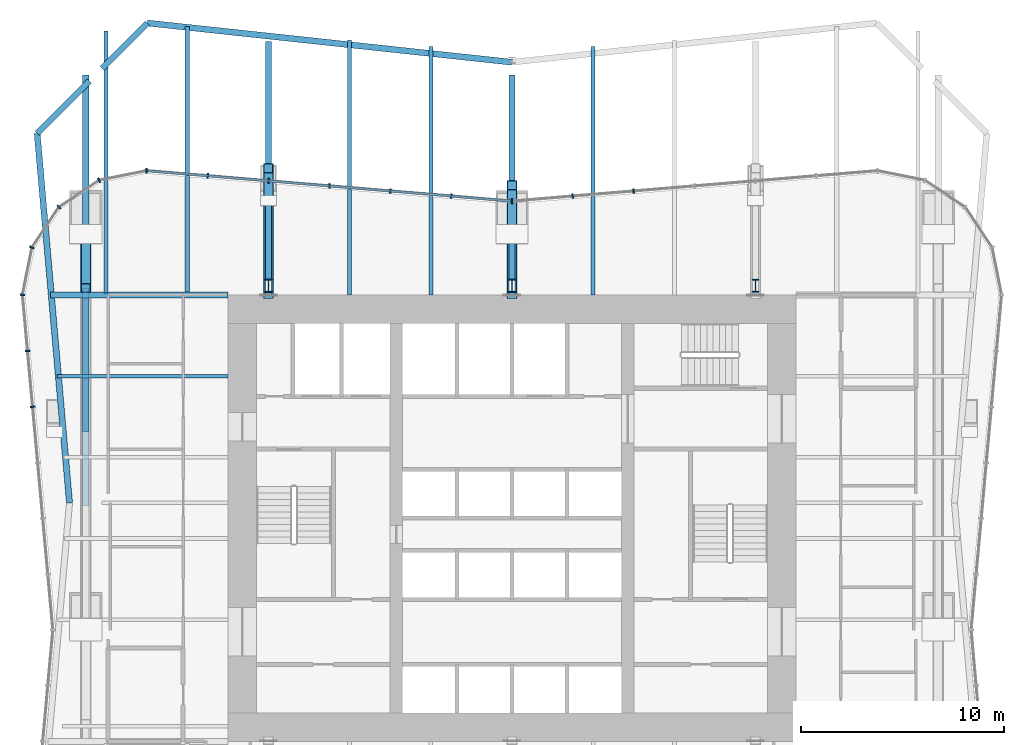
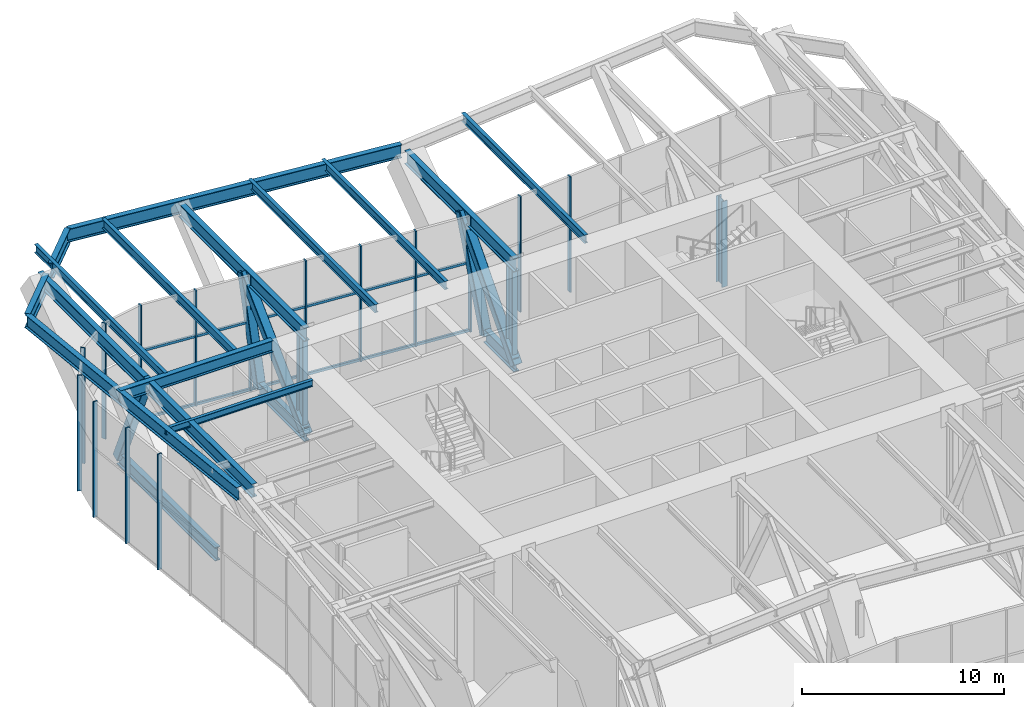
# One storey, part 8 of 17: 32 members, 11 beams, 3 elements without a shape of their own.
"""IFC4 building model written with IfcOpenShell, lengths in metres."""

import ifcopenshell
import ifcopenshell.guid

model = None  # the IFC model being written
_history = None  # IfcOwnerHistory: only IFC2X3 demands one
_inside = {}  # id of a spatial element -> (the spatial element, [elements in it])
_under = {}  # id of a project, library or spatial element -> (it, [spatial elements below it])
_declared = {}  # id of a project -> (the project, [libraries it declares])
_typed = {}  # id of a type object -> (the type object, [elements of that type])
_made_of = {}  # id of a material, layer set ... -> (it, [elements and type objects made of it])


def new_model(schema):
    """Start an empty IFC model of exactly this schema.

    Asked for "IFC4X3", IfcOpenShell would pick the latest addendum, in which some entities
    have other attributes; the version numbers below select the first issue.
    IFC2X3 requires an IfcOwnerHistory on every rooted entity: one is made here for all.
    """
    global model, _history
    if schema == "IFC4X3":
        model = ifcopenshell.file(schema_version=(4, 3, 0, 0))
    else:
        model = ifcopenshell.file(schema=schema)
    _inside.clear()
    _under.clear()
    _declared.clear()
    _typed.clear()
    _made_of.clear()
    _history = None
    if model.schema == "IFC2X3":
        org = make("IfcOrganization", Name="unknown")
        user = make(
            "IfcPersonAndOrganization",
            ThePerson=make("IfcPerson", FamilyName="unknown"),
            TheOrganization=org,
        )
        app = make(
            "IfcApplication",
            ApplicationDeveloper=org,
            Version="unknown",
            ApplicationFullName="unknown",
            ApplicationIdentifier="unknown",
        )
        _history = make(
            "IfcOwnerHistory",
            OwningUser=user,
            OwningApplication=app,
            ChangeAction="ADDED",
            CreationDate=0,
        )
    return model


def make(cls, **values):
    """One entity of the class cls with the attributes given. An attribute that is None is left unset."""
    return model.create_entity(
        cls, **{name: value for name, value in values.items() if value is not None}
    )


def rooted(cls, **values):
    """An entity with a GlobalId (a new one), such as an element, a storey or a relation."""
    return make(cls, GlobalId=ifcopenshell.guid.new(), OwnerHistory=_history, **values)


def si_unit(unit_type, name, prefix=None):
    """IfcSIUnit, for example si_unit("LENGTHUNIT", "METRE", prefix="MILLI")."""
    return make("IfcSIUnit", UnitType=unit_type, Prefix=prefix, Name=name)


def assignment(units):
    """IfcUnitAssignment: the units of a project."""
    return None if units is None else make("IfcUnitAssignment", Units=units)


def point(xyz):
    """IfcCartesianPoint."""
    return None if xyz is None else make("IfcCartesianPoint", Coordinates=xyz)


def direction(xyz):
    """IfcDirection."""
    return None if xyz is None else make("IfcDirection", DirectionRatios=xyz)


def frame(location, z_axis=None, x_axis=None):
    """IfcAxis2Placement3D, a coordinate frame: its origin and axes. An axis left out is left unset."""
    return make(
        "IfcAxis2Placement3D",
        Location=point(location),
        Axis=direction(z_axis),
        RefDirection=direction(x_axis),
    )


def frame_2d(location, x_axis=None):
    """IfcAxis2Placement2D, a coordinate frame in the plane: its origin and x axis."""
    return make(
        "IfcAxis2Placement2D", Location=point(location), RefDirection=direction(x_axis)
    )


def origin():
    """The frame at (0, 0, 0) with its axes left unset."""
    return frame((0.0, 0.0, 0.0))


def origin_2d():
    """The frame at (0, 0) in the plane with its x axis left unset."""
    return frame_2d((0.0, 0.0))


def place(relative_to, where):
    """IfcLocalPlacement: puts the frame where relative to a parent placement (None: the world)."""
    return make(
        "IfcLocalPlacement", PlacementRelTo=relative_to, RelativePlacement=where
    )


def context(
    kind, dimensions, precision=None, world=None, true_north=None, identifier=None
):
    """IfcGeometricRepresentationContext, for example the 3D "Model" context."""
    return make(
        "IfcGeometricRepresentationContext",
        ContextIdentifier=identifier,
        ContextType=kind,
        CoordinateSpaceDimension=dimensions,
        Precision=precision,
        WorldCoordinateSystem=world,
        TrueNorth=true_north,
    )


def subcontext(parent, identifier, kind, view, scale=None):
    """IfcGeometricRepresentationSubContext, for example "Body" below "Model"."""
    return make(
        "IfcGeometricRepresentationSubContext",
        ContextIdentifier=identifier,
        ContextType=kind,
        ParentContext=parent,
        TargetScale=scale,
        TargetView=view,
    )


def project(units=None, contexts=None):
    """IfcProject with its units and contexts."""
    return rooted(
        "IfcProject",
        Name="project",
        RepresentationContexts=contexts,
        UnitsInContext=assignment(units),
    )


def spatial(cls, under=None, at=None, **own):
    """A site, building, storey or space (cls), placed at a placement, below another one or the project."""
    s = rooted(cls, ObjectPlacement=at, **own)
    if under is not None:
        _under.setdefault(under.id(), (under, []))[1].append(s)
    return s


def profile(cls, at=None, kind="AREA", **sizes):
    """A parametric profile (cls). Its sizes go by their IFC names, for example OverallWidth=200.0."""
    return make(cls, ProfileType=kind, Position=at, **sizes)


def rectangle(**sizes):
    """IfcRectangleProfileDef."""
    return profile("IfcRectangleProfileDef", **sizes)


def hollow_rectangle(**sizes):
    """IfcRectangleHollowProfileDef."""
    return profile("IfcRectangleHollowProfileDef", **sizes)


def i_section(**sizes):
    """IfcIShapeProfileDef."""
    return profile("IfcIShapeProfileDef", **sizes)


def extrude(swept, where, along, depth):
    """IfcExtrudedAreaSolid: the profile swept, set in the frame where, extruded along a direction by depth."""
    return make(
        "IfcExtrudedAreaSolid",
        SweptArea=swept,
        Position=where,
        ExtrudedDirection=direction(along),
        Depth=depth,
    )


def shape(context_of_items, identifier, shape_type, items):
    """IfcShapeRepresentation: the items that make up one representation, for example the "Body"."""
    return make(
        "IfcShapeRepresentation",
        ContextOfItems=context_of_items,
        RepresentationIdentifier=identifier,
        RepresentationType=shape_type,
        Items=items,
    )


def material(Name=None, Category=None):
    """IfcMaterial."""
    return make("IfcMaterial", Name=Name, Category=Category)


def material_profile(
    of_material, cross_section, Name=None, Category=None, Priority=None
):
    """IfcMaterialProfile: a cross section and its material."""
    return make(
        "IfcMaterialProfile",
        Name=Name,
        Material=of_material,
        Profile=cross_section,
        Priority=Priority,
        Category=Category,
    )


def profile_set(profiles, Name=None, composite=None):
    """IfcMaterialProfileSet."""
    return make(
        "IfcMaterialProfileSet",
        Name=Name,
        MaterialProfiles=profiles,
        CompositeProfile=composite,
    )


def made_of(thing, what):
    """Note that an element or type object is made of a material, layer set ...; save() writes the relation."""
    if what is not None:
        _made_of.setdefault(what.id(), (what, []))[1].append(thing)
    return thing


def type_object(cls, material=None, **own):
    """A type object (cls), such as IfcWallType, which elements share."""
    return made_of(rooted(cls, **own), material)


def element(
    cls,
    number,
    at=None,
    inside=None,
    cuts=None,
    type_object=None,
    material=None,
    context=None,
    identifier="Body",
    shape_type=None,
    held_by="IfcProductDefinitionShape",
    body=None,
    shapes=None,
    **own,
):
    """One element of the class cls, such as IfcWall. Its Tag is "e" and its number.

    at: its placement. inside: the storey or other place that contains it. cuts: it is an
    opening in that element (IfcRelVoidsElement). A single representation is given by context,
    identifier, shape_type and body (its items); several are given by shapes. held_by: the class
    of the entity that holds the representations. save() writes the other relations.
    """
    e = rooted(cls, Tag="e%d" % number, ObjectPlacement=at, **own)
    if body is not None:
        shapes = [shape(context, identifier, shape_type, body)]
    if shapes is not None:
        e.Representation = make(held_by, Representations=shapes)
    if inside is not None:
        _inside.setdefault(inside.id(), (inside, []))[1].append(e)
    if cuts is not None:
        rooted(
            "IfcRelVoidsElement", RelatingBuildingElement=cuts, RelatedOpeningElement=e
        )
    if type_object is not None:
        _typed.setdefault(type_object.id(), (type_object, []))[1].append(e)
    return made_of(e, material)


def aggregate(whole, parts):
    """IfcRelAggregates: a whole, such as a stair, and the parts it consists of."""
    return rooted("IfcRelAggregates", RelatingObject=whole, RelatedObjects=parts)


def save(model, path):
    """Write the relations noted so far, then the file.

    IfcRelAggregates (storeys below a building ...), IfcRelContainedInSpatialStructure (elements
    in a storey), IfcRelDefinesByType, IfcRelAssociatesMaterial and IfcRelDeclares: one each for
    every whole, place, type object, material and project.
    """
    for whole, parts in _under.values():
        aggregate(whole, parts)
    for where, things in _inside.values():
        rooted(
            "IfcRelContainedInSpatialStructure",
            RelatedElements=things,
            RelatingStructure=where,
        )
    for kind, things in _typed.values():
        rooted("IfcRelDefinesByType", RelatedObjects=things, RelatingType=kind)
    for what, things in _made_of.values():
        rooted("IfcRelAssociatesMaterial", RelatedObjects=things, RelatingMaterial=what)
    for by, libraries in _declared.values():
        rooted("IfcRelDeclares", RelatingContext=by, RelatedDefinitions=libraries)
    model.write(path)


model = new_model("IFC4")

# Units and contexts
model_context = context("Model", 3, precision=1e-05, world=origin(), true_north=direction((0.0, 1.0)))
body_context = subcontext(model_context, "Body", "Model", "MODEL_VIEW")
ifc_project = project(units=[si_unit("LENGTHUNIT", "METRE"), si_unit("AREAUNIT", "SQUARE_METRE"), si_unit("VOLUMEUNIT", "CUBIC_METRE"), si_unit("PLANEANGLEUNIT", "RADIAN"), si_unit("MASSUNIT", "GRAM", prefix="KILO")], contexts=[model_context])

# Site, building, storey
site_placement = place(None, origin())
site = spatial("IfcSite", under=ifc_project, at=site_placement, CompositionType="ELEMENT")
building_placement = place(site_placement, origin())
building = spatial("IfcBuilding", under=site, at=building_placement, Name="Verdant Reach Tower", CompositionType="ELEMENT")
storey_placement = place(building_placement, frame((0.0, 0.0, 58.0)))
storey = spatial("IfcBuildingStorey", under=building, at=storey_placement, Name="L13 Plant", CompositionType="ELEMENT", Elevation=58.0)

# Curtain wall, members
ifc_material_1 = material(Name="Anodised aluminium", Category="aluminium")
curtain_wall_type = type_object("IfcCurtainWallType", Name="EN-CW SYSTEM PLANT", PredefinedType="NOTDEFINED", material=ifc_material_1)
curtain_wall_1_placement = place(storey_placement, origin())
curtain_wall_1 = element("IfcCurtainWall", 1, at=curtain_wall_1_placement, inside=storey, type_object=curtain_wall_type, Name="Curtain wall north, L13", PredefinedType="NOTDEFINED")
ifc_material_profile_1 = material_profile(ifc_material_1, rectangle(XDim=0.238037109375, YDim=0.080078125, at=origin_2d()), Name="Mullion 80x240")
ifc_profile_set_1 = profile_set([ifc_material_profile_1], Name="Anodised aluminium")
member_type_1 = type_object("IfcMemberType", Name="EN-MULLION PLANT", PredefinedType="MULLION", material=ifc_profile_set_1)
member_1_placement = place(storey_placement, frame((5.990234375, 44.11865234375, -0.35009765625), z_axis=(0.0, 0.0, 1.0), x_axis=(-0.083045479859, 0.996545758244, 0.0)))
member_1 = element("IfcMember", 2, at=member_1_placement, type_object=member_type_1, Name="Mullion north face part 1 5, L13", PredefinedType="MULLION", context=body_context, shape_type="SweptSolid", body=[
    extrude(rectangle(XDim=0.238037109375, YDim=0.080078125, at=origin_2d()), origin(), (0.0, 0.0, 1.0), 7.0),
])
member_2_placement = place(storey_placement, frame((2.990234375, 43.86865234375, -0.35009765625), z_axis=(0.0, 0.0, 1.0), x_axis=(-0.083045479859, 0.996545758244, 0.0)))
member_2 = element("IfcMember", 3, at=member_2_placement, type_object=member_type_1, Name="Mullion north face part 1 6, L13", PredefinedType="MULLION", context=body_context, shape_type="SweptSolid", body=[
    extrude(rectangle(XDim=0.238037109375, YDim=0.080078125, at=origin_2d()), origin(), (0.0, 0.0, 1.0), 7.0),
])
member_3_placement = place(storey_placement, frame((0.0, 43.618896484375, -0.35009765625), z_axis=(0.0, 0.0, 1.0), x_axis=(0.0, 1.0, 0.0)))
member_3 = element("IfcMember", 4, at=member_3_placement, type_object=member_type_1, Name="Mullion north face part 2 1, L13", PredefinedType="MULLION", context=body_context, shape_type="SweptSolid", body=[
    extrude(rectangle(XDim=0.238037109375, YDim=0.080078125, at=origin_2d()), origin(), (0.0, 0.0, 1.0), 7.0),
])
member_4_placement = place(storey_placement, frame((-2.990234375, 43.86865234375, -0.35009765625), z_axis=(0.0, 0.0, 1.0), x_axis=(0.083045479859, 0.996545758244, 0.0)))
member_4 = element("IfcMember", 5, at=member_4_placement, type_object=member_type_1, Name="Mullion north face part 2 2, L13", PredefinedType="MULLION", context=body_context, shape_type="SweptSolid", body=[
    extrude(rectangle(XDim=0.238037109375, YDim=0.080078125, at=origin_2d()), origin(), (0.0, 0.0, 1.0), 7.0),
])
member_5_placement = place(storey_placement, frame((-5.990234375, 44.11865234375, -0.35009765625), z_axis=(0.0, 0.0, 1.0), x_axis=(0.083045479859, 0.996545758244, 0.0)))
member_5 = element("IfcMember", 6, at=member_5_placement, type_object=member_type_1, Name="Mullion north face part 2 3, L13", PredefinedType="MULLION", context=body_context, shape_type="SweptSolid", body=[
    extrude(rectangle(XDim=0.238037109375, YDim=0.080078125, at=origin_2d()), origin(), (0.0, 0.0, 1.0), 7.0),
])
member_6_placement = place(storey_placement, frame((-8.990234375, 44.36865234375, -0.35009765625), z_axis=(0.0, 0.0, 1.0), x_axis=(0.083045479859, 0.996545758244, 0.0)))
member_6 = element("IfcMember", 7, at=member_6_placement, type_object=member_type_1, Name="Mullion north face part 2 4, L13", PredefinedType="MULLION", context=body_context, shape_type="SweptSolid", body=[
    extrude(rectangle(XDim=0.238037109375, YDim=0.080078125, at=origin_2d()), origin(), (0.0, 0.0, 1.0), 7.0),
])
member_7_placement = place(storey_placement, frame((-11.990234375, 44.61865234375, -0.35009765625), z_axis=(0.0, 0.0, 1.0), x_axis=(0.083045479859, 0.996545758244, 0.0)))
member_7 = element("IfcMember", 8, at=member_7_placement, type_object=member_type_1, Name="Mullion north face part 2 5, L13", PredefinedType="MULLION", context=body_context, shape_type="SweptSolid", body=[
    extrude(rectangle(XDim=0.238037109375, YDim=0.080078125, at=origin_2d()), origin(), (0.0, 0.0, 1.0), 7.0),
])
member_8_placement = place(storey_placement, frame((-14.990234375, 44.86865234375, -0.35009765625), z_axis=(0.0, 0.0, 1.0), x_axis=(0.083045479859, 0.996545758244, 0.0)))
member_8 = element("IfcMember", 9, at=member_8_placement, type_object=member_type_1, Name="Mullion north face part 2 6, L13", PredefinedType="MULLION", context=body_context, shape_type="SweptSolid", body=[
    extrude(rectangle(XDim=0.238037109375, YDim=0.080078125, at=origin_2d()), origin(), (0.0, 0.0, 1.0), 7.0),
])

curtain_wall_2_placement = place(storey_placement, origin())
curtain_wall_2 = element("IfcCurtainWall", 10, at=curtain_wall_2_placement, inside=storey, type_object=curtain_wall_type, Name="Curtain wall north-west corner, L13", PredefinedType="NOTDEFINED")
member_9_placement = place(storey_placement, frame((-18.0068359375, 45.118896484375, -0.35009765625), z_axis=(0.0, 0.0, 1.0), x_axis=(-0.056569187765, 0.998398681387, 0.0)))
member_9 = element("IfcMember", 11, at=member_9_placement, type_object=member_type_1, Name="Mullion north-west corner 1, L13", PredefinedType="MULLION", context=body_context, shape_type="SweptSolid", body=[
    extrude(rectangle(XDim=0.238037109375, YDim=0.080078125, at=origin_2d()), origin(), (0.0, 0.0, 1.0), 7.0),
])
member_10_placement = place(storey_placement, frame((-20.341552734375, 44.6533203125, -0.35009765625), z_axis=(0.0, 0.0, 1.0), x_axis=(-0.382693853776, 0.923875215753, 0.0)))
member_10 = element("IfcMember", 12, at=member_10_placement, type_object=member_type_1, Name="Mullion north-west corner 2, L13", PredefinedType="MULLION", context=body_context, shape_type="SweptSolid", body=[
    extrude(rectangle(XDim=0.238037109375, YDim=0.080078125, at=origin_2d()), origin(), (0.0, 0.0, 1.0), 7.0),
])
member_11_placement = place(storey_placement, frame((-22.32666015625, 43.32666015625, -0.35009765625), z_axis=(0.0, 0.0, 1.0), x_axis=(-0.707106781187, 0.707106781187, 0.0)))
member_11 = element("IfcMember", 13, at=member_11_placement, type_object=member_type_1, Name="Mullion north-west corner 3, L13", PredefinedType="MULLION", context=body_context, shape_type="SweptSolid", body=[
    extrude(rectangle(XDim=0.238037109375, YDim=0.080078125, at=origin_2d()), origin(), (0.0, 0.0, 1.0), 7.0),
])
member_12_placement = place(storey_placement, frame((-23.6533203125, 41.341552734375, -0.35009765625), z_axis=(0.0, 0.0, 1.0), x_axis=(-0.923875215753, 0.382693853776, 0.0)))
member_12 = element("IfcMember", 14, at=member_12_placement, type_object=member_type_1, Name="Mullion north-west corner 4, L13", PredefinedType="MULLION", context=body_context, shape_type="SweptSolid", body=[
    extrude(rectangle(XDim=0.238037109375, YDim=0.080078125, at=origin_2d()), origin(), (0.0, 0.0, 1.0), 7.0),
])
aggregate(curtain_wall_2, [member_9, member_10, member_11, member_12])

curtain_wall_3_placement = place(storey_placement, origin())
curtain_wall_3 = element("IfcCurtainWall", 15, at=curtain_wall_3_placement, inside=storey, type_object=curtain_wall_type, Name="Curtain wall west, L13", PredefinedType="NOTDEFINED")
member_13_placement = place(storey_placement, frame((-24.118896484375, 39.00634765625, -0.35009765625), z_axis=(0.0, 0.0, 1.0), x_axis=(-0.998604288049, 0.052815489107, 0.0)))
member_13 = element("IfcMember", 16, at=member_13_placement, type_object=member_type_1, Name="Mullion west face part 1 1, L13", PredefinedType="MULLION", context=body_context, shape_type="SweptSolid", body=[
    extrude(rectangle(XDim=0.238037109375, YDim=0.080078125, at=origin_2d()), origin(), (0.0, 0.0, 1.0), 7.0),
])
member_14_placement = place(storey_placement, frame((-23.868408203125, 36.2392578125, -0.35009765625), z_axis=(0.0, 0.0, 1.0), x_axis=(-0.995893206467, -0.090535746047, 0.0)))
member_14 = element("IfcMember", 17, at=member_14_placement, type_object=member_type_1, Name="Mullion west face part 1 2, L13", PredefinedType="MULLION", context=body_context, shape_type="SweptSolid", body=[
    extrude(rectangle(XDim=0.238037109375, YDim=0.080078125, at=origin_2d()), origin(), (0.0, 0.0, 1.0), 7.0),
])
member_15_placement = place(storey_placement, frame((-23.618408203125, 33.4892578125, -0.35009765625), z_axis=(0.0, 0.0, 1.0), x_axis=(-0.995893206467, -0.090535746047, 0.0)))
member_15 = element("IfcMember", 18, at=member_15_placement, type_object=member_type_1, Name="Mullion west face part 1 3, L13", PredefinedType="MULLION", context=body_context, shape_type="SweptSolid", body=[
    extrude(rectangle(XDim=0.238037109375, YDim=0.080078125, at=origin_2d()), origin(), (0.0, 0.0, 1.0), 7.0),
])
aggregate(curtain_wall_3, [member_13, member_14, member_15])

# Member
ifc_material_profile_2 = material_profile(ifc_material_1, rectangle(XDim=0.1201171875, YDim=0.14990234375, at=origin_2d()), Name="Transom 150x120")
ifc_profile_set_2 = profile_set([ifc_material_profile_2], Name="Anodised aluminium")
member_type_2 = type_object("IfcMemberType", Name="EN-TRANSOM PLANT", PredefinedType="USERDEFINED", material=ifc_profile_set_2)
member_16_placement = place(storey_placement, frame((-0.039794921875, 43.622314453125, -0.27490234375), z_axis=(-0.996549220477, 0.083003922598, 0.0), x_axis=(-0.083003922598, -0.996549220477, 0.0)))
member_16 = element("IfcMember", 19, at=member_16_placement, type_object=member_type_2, Name="Transom north face part 2 1.1, L13", ObjectType="TRANSOM", PredefinedType="USERDEFINED", context=body_context, shape_type="SweptSolid", body=[
    extrude(rectangle(XDim=0.1201171875, YDim=0.14990234375, at=origin_2d()), origin(), (0.0, 0.0, 1.0), 17.989013671875),
])

member_17_placement = place(storey_placement, frame((-0.039794921875, 43.622314453125, 3.85009765625), z_axis=(-0.996549220477, 0.083003922598, 0.0), x_axis=(-0.083003922598, -0.996549220477, 0.0)))
member_17 = element("IfcMember", 20, at=member_17_placement, type_object=member_type_2, Name="Transom north face part 2 1.2, L13", ObjectType="TRANSOM", PredefinedType="USERDEFINED", context=body_context, shape_type="SweptSolid", body=[
    extrude(rectangle(XDim=0.1201171875, YDim=0.14990234375, at=origin_2d()), origin(), (0.0, 0.0, 1.0), 17.989013671875),
])

aggregate(curtain_wall_1, [member_1, member_2, member_3, member_4, member_5, member_6, member_7, member_8, member_16, member_17])

# Beams
ifc_material_2 = material(Name="Steel S355", Category="steel")
ifc_material_profile_3 = material_profile(ifc_material_2, i_section(OverallWidth=0.300048828125, OverallDepth=0.699951171875, WebThickness=0.01708984375, FlangeThickness=0.031982421875, FilletRadius=0.027099609375, at=origin_2d()), Name="HEB 700")
ifc_profile_set_3 = profile_set([ifc_material_profile_3], Name="Steel S355")
beam_type_1 = type_object("IfcBeamType", Name="ST-BEAM-HEB700", PredefinedType="BEAM", material=ifc_profile_set_3)
beam_1_placement = place(storey_placement, frame((-14.0, 39.0, 6.52001953125), z_axis=(-1.0, 0.0, 0.0), x_axis=(0.0, -1.0, 0.0)))
element("IfcBeam", 21, at=beam_1_placement, inside=storey, type_object=beam_type_1, Name="Trimmer beam, L13 Plant", PredefinedType="BEAM", context=body_context, shape_type="SweptSolid", body=[
    extrude(i_section(OverallWidth=0.300048828125, OverallDepth=0.699951171875, WebThickness=0.01708984375, FlangeThickness=0.031982421875, FilletRadius=0.027099609375, at=origin_2d()), origin(), (0.0, 0.0, 1.0), 8.740478515625),
])
ifc_material_profile_4 = material_profile(ifc_material_2, i_section(OverallWidth=0.179931640625, OverallDepth=0.39990234375, WebThickness=0.008544921875, FlangeThickness=0.013427734375, FilletRadius=0.02099609375, at=origin_2d()), Name="IPE 400")
ifc_profile_set_4 = profile_set([ifc_material_profile_4], Name="Steel S355")
beam_type_2 = type_object("IfcBeamType", Name="ST-JOIST-IPE400", PredefinedType="JOIST", material=ifc_profile_set_4)
beam_2_placement = place(storey_placement, frame((-14.0, 35.0, 6.669921875), z_axis=(-1.0, 0.0, 0.0), x_axis=(0.0, -1.0, 0.0)))
element("IfcBeam", 22, at=beam_2_placement, inside=storey, type_object=beam_type_2, Name="Floor joist, L13 Plant", PredefinedType="JOIST", context=body_context, shape_type="SweptSolid", body=[
    extrude(i_section(OverallWidth=0.179931640625, OverallDepth=0.39990234375, WebThickness=0.008544921875, FlangeThickness=0.013427734375, FilletRadius=0.02099609375, at=origin_2d()), origin(), (0.0, 0.0, 1.0), 8.41162109375),
])
ifc_material_profile_5 = material_profile(ifc_material_2, i_section(OverallWidth=0.199951171875, OverallDepth=0.5, WebThickness=0.01025390625, FlangeThickness=0.01611328125, FilletRadius=0.02099609375, at=origin_2d()), Name="IPE 500")
ifc_profile_set_5 = profile_set([ifc_material_profile_5], Name="Steel S355")
beam_type_3 = type_object("IfcBeamType", Name="ST-JOIST-IPE500", PredefinedType="JOIST", material=ifc_profile_set_5)
beam_3_placement = place(storey_placement, frame((-20.0, 39.10009765625, 6.6201171875), z_axis=(0.0, 1.0, 0.0), x_axis=(-1.0, 0.0, 0.0)))
element("IfcBeam", 23, at=beam_3_placement, inside=storey, type_object=beam_type_3, Name="Floor joist, L13 Plant", PredefinedType="JOIST", context=body_context, shape_type="SweptSolid", body=[
    extrude(i_section(OverallWidth=0.199951171875, OverallDepth=0.5, WebThickness=0.01025390625, FlangeThickness=0.01611328125, FilletRadius=0.02099609375, at=origin_2d()), origin(), (0.0, 0.0, 1.0), 12.890380859375),
])
beam_4_placement = place(storey_placement, frame((-8.0, 39.0, 6.6201171875), z_axis=(0.0, 1.0, 0.0), x_axis=(-1.0, 0.0, 0.0)))
element("IfcBeam", 24, at=beam_4_placement, inside=storey, type_object=beam_type_3, Name="Floor joist, L13 Plant", PredefinedType="JOIST", context=body_context, shape_type="SweptSolid", body=[
    extrude(i_section(OverallWidth=0.199951171875, OverallDepth=0.5, WebThickness=0.01025390625, FlangeThickness=0.01611328125, FilletRadius=0.02099609375, at=origin_2d()), origin(), (0.0, 0.0, 1.0), 12.564697265625),
])
for number, where, z_axis, x_axis, name in (
    (25, (-4.0, 39.0, 6.6201171875), (0.0, 1.0, 0.0), (-1.0, 0.0, 0.0), "Floor joist, L13 Plant"),
    (26, (4.0, 39.0, 6.6201171875), (0.0, 1.0, 0.0), (-1.0, 0.0, 0.0), "Floor joist, L13 Plant"),
):
    element("IfcBeam", number, at=place(storey_placement, frame(where, z_axis=z_axis, x_axis=x_axis)), inside=storey, type_object=beam_type_3, Name=name, PredefinedType="JOIST", context=body_context, shape_type="SweptSolid", body=[
        extrude(i_section(OverallWidth=0.199951171875, OverallDepth=0.5, WebThickness=0.01025390625, FlangeThickness=0.01611328125, FilletRadius=0.02099609375, at=origin_2d()), origin(), (0.0, 0.0, 1.0), 12.231201171875),
    ])
ifc_material_profile_6 = material_profile(ifc_material_2, i_section(OverallWidth=0.2099609375, OverallDepth=0.550048828125, WebThickness=0.010986328125, FlangeThickness=0.01708984375, FilletRadius=0.02392578125, at=origin_2d()), Name="IPE 550")
ifc_profile_set_6 = profile_set([ifc_material_profile_6], Name="Steel S355")
beam_type_4 = type_object("IfcBeamType", Name="ST-JOIST-IPE550", PredefinedType="JOIST", material=ifc_profile_set_6)
beam_5_placement = place(storey_placement, frame((-16.0, 39.10009765625, 6.594970703125), z_axis=(0.0, 1.0, 0.0), x_axis=(-1.0, 0.0, 0.0)))
element("IfcBeam", 27, at=beam_5_placement, inside=storey, type_object=beam_type_4, Name="Floor joist, L13 Plant", PredefinedType="JOIST", context=body_context, shape_type="SweptSolid", body=[
    extrude(i_section(OverallWidth=0.2099609375, OverallDepth=0.550048828125, WebThickness=0.010986328125, FlangeThickness=0.01708984375, FilletRadius=0.02392578125, at=origin_2d()), origin(), (0.0, 0.0, 1.0), 13.131103515625),
])
ifc_material_profile_7 = material_profile(ifc_material_2, i_section(OverallWidth=0.300048828125, OverallDepth=0.800048828125, WebThickness=0.017578125, FlangeThickness=0.032958984375, FilletRadius=0.030029296875, at=origin_2d()), Name="HEB 800")
ifc_profile_set_7 = profile_set([ifc_material_profile_7], Name="Steel S355")
beam_type_5 = type_object("IfcBeamType", Name="ST-SPANDREL-HEB800", PredefinedType="SPANDREL", material=ifc_profile_set_7)
beam_6_placement = place(storey_placement, frame((-21.800048828125, 28.75, 6.469970703125), z_axis=(-0.087228233643, 0.996188353302, 0.0), x_axis=(-0.996188353302, -0.087228233643, 0.0)))
element("IfcBeam", 28, at=beam_6_placement, inside=storey, type_object=beam_type_5, Name="Edge beam, L13 Plant", PredefinedType="SPANDREL", context=body_context, shape_type="SweptSolid", body=[
    extrude(i_section(OverallWidth=0.300048828125, OverallDepth=0.800048828125, WebThickness=0.017578125, FlangeThickness=0.032958984375, FilletRadius=0.030029296875, at=origin_2d()), origin(), (0.0, 0.0, 1.0), 18.284912109375),
])
beam_7_placement = place(storey_placement, frame((-17.9658203125, 52.39501953125, 6.469970703125), z_axis=(0.994273932726, -0.106861343343, 0.0), x_axis=(0.106861343343, 0.994273932726, 0.0)))
element("IfcBeam", 29, at=beam_7_placement, inside=storey, type_object=beam_type_5, Name="Edge beam, L13 Plant", PredefinedType="SPANDREL", context=body_context, shape_type="SweptSolid", body=[
    extrude(i_section(OverallWidth=0.300048828125, OverallDepth=0.800048828125, WebThickness=0.017578125, FlangeThickness=0.032958984375, FilletRadius=0.030029296875, at=origin_2d()), origin(), (0.0, 0.0, 1.0), 18.0693359375),
])
ifc_material_profile_8 = material_profile(ifc_material_2, i_section(OverallWidth=0.302001953125, OverallDepth=0.909912109375, WebThickness=0.02099609375, FlangeThickness=0.0400390625, FilletRadius=0.030029296875, at=origin_2d()), Name="HEM 900")
ifc_profile_set_8 = profile_set([ifc_material_profile_8], Name="Steel S355")
beam_type_6 = type_object("IfcBeamType", Name="ST-SPANDREL-HEM900", PredefinedType="SPANDREL", material=ifc_profile_set_8)
beam_8_placement = place(storey_placement, frame((-23.39501953125, 46.96533203125, 6.4150390625), z_axis=(0.707073199785, 0.707140360993, 0.0), x_axis=(-0.707140360993, 0.707073199785, 0.0)))
element("IfcBeam", 30, at=beam_8_placement, inside=storey, type_object=beam_type_6, Name="Edge beam, L13 Plant", PredefinedType="SPANDREL", context=body_context, shape_type="SweptSolid", body=[
    extrude(i_section(OverallWidth=0.302001953125, OverallDepth=0.909912109375, WebThickness=0.02099609375, FlangeThickness=0.0400390625, FilletRadius=0.030029296875, at=origin_2d()), origin(), (0.0, 0.0, 1.0), 3.63525390625),
])
beam_9_placement = place(storey_placement, frame((-20.199951171875, 50.16064453125, 6.4150390625), z_axis=(0.70706814675, 0.707145413513, 0.0), x_axis=(-0.707145413513, 0.70706814675, 0.0)))
element("IfcBeam", 31, at=beam_9_placement, inside=storey, type_object=beam_type_6, Name="Edge beam, L13 Plant", PredefinedType="SPANDREL", context=body_context, shape_type="SweptSolid", body=[
    extrude(i_section(OverallWidth=0.302001953125, OverallDepth=0.909912109375, WebThickness=0.02099609375, FlangeThickness=0.0400390625, FilletRadius=0.030029296875, at=origin_2d()), origin(), (0.0, 0.0, 1.0), 3.15966796875),
])

# Members
ifc_material_3 = material(Name="Steel S460", Category="steel")
ifc_material_profile_9 = material_profile(ifc_material_3, hollow_rectangle(XDim=0.5, YDim=0.5, WallThickness=0.02490234375, InnerFilletRadius=0.02490234375, OuterFilletRadius=0.050048828125, at=origin_2d()), Name="RHS 500x500x25")
ifc_profile_set_9 = profile_set([ifc_material_profile_9], Name="Steel S460")
member_type_3 = type_object("IfcMemberType", Name="ST-TRUSS-BRACE-RHS500x500x25", PredefinedType="BRACE", material=ifc_profile_set_9)
member_18_placement = place(storey_placement, frame((-12.0, 39.0, 0.406982421875), z_axis=(0.0, 0.717421735235, 0.696639113036), x_axis=(-1.0, 0.0, 0.0)))
element("IfcMember", 32, at=member_18_placement, inside=storey, type_object=member_type_3, Name="Outrigger truss C north, diagonal, L13 Plant", PredefinedType="BRACE", context=body_context, shape_type="SweptSolid", body=[
    extrude(hollow_rectangle(XDim=0.5, YDim=0.5, WallThickness=0.02490234375, InnerFilletRadius=0.02490234375, OuterFilletRadius=0.050048828125, at=origin_2d()), origin(), (0.0, 0.0, 1.0), 8.693115234375),
])
member_19_placement = place(storey_placement, frame((-12.0, 45.236572265625, 6.462890625), z_axis=(0.0, -0.252097907741, -0.967701733445), x_axis=(1.0, 0.0, 0.0)))
element("IfcMember", 33, at=member_19_placement, inside=storey, type_object=member_type_3, Name="Outrigger truss C north, diagonal, L13 Plant", PredefinedType="BRACE", context=body_context, shape_type="SweptSolid", body=[
    extrude(hollow_rectangle(XDim=0.5, YDim=0.5, WallThickness=0.02490234375, InnerFilletRadius=0.02490234375, OuterFilletRadius=0.050048828125, at=origin_2d()), origin(), (0.0, 0.0, 1.0), 6.258056640625),
])
member_20_placement = place(storey_placement, frame((0.0, 39.0, 0.406982421875), z_axis=(0.0, 0.666328138605, 0.745658642881), x_axis=(-1.0, 0.0, 0.0)))
element("IfcMember", 34, at=member_20_placement, inside=storey, type_object=member_type_3, Name="Outrigger truss D north, diagonal, L13 Plant", PredefinedType="BRACE", context=body_context, shape_type="SweptSolid", body=[
    extrude(hollow_rectangle(XDim=0.5, YDim=0.5, WallThickness=0.02490234375, InnerFilletRadius=0.02490234375, OuterFilletRadius=0.050048828125, at=origin_2d()), origin(), (0.0, 0.0, 1.0), 8.12158203125),
])
member_21_placement = place(storey_placement, frame((0.0, 44.41162109375, 6.462890625), z_axis=(0.0, -0.368772547, -0.929519665515), x_axis=(1.0, 0.0, 0.0)))
element("IfcMember", 35, at=member_21_placement, inside=storey, type_object=member_type_3, Name="Outrigger truss D north, diagonal, L13 Plant", PredefinedType="BRACE", context=body_context, shape_type="SweptSolid", body=[
    extrude(hollow_rectangle(XDim=0.5, YDim=0.5, WallThickness=0.02490234375, InnerFilletRadius=0.02490234375, OuterFilletRadius=0.050048828125, at=origin_2d()), origin(), (0.0, 0.0, 1.0), 6.51513671875),
])
member_22_placement = place(storey_placement, frame((-21.0, 39.33984375, 6.462890625), z_axis=(0.0, 0.403319577084, -0.915059188655), x_axis=(-1.0, 0.0, 0.0)))
element("IfcMember", 36, at=member_22_placement, inside=storey, type_object=member_type_3, Name="Transfer truss B west, diagonal, L13 Plant", PredefinedType="BRACE", context=body_context, shape_type="SweptSolid", body=[
    extrude(hollow_rectangle(XDim=0.5, YDim=0.5, WallThickness=0.02490234375, InnerFilletRadius=0.02490234375, OuterFilletRadius=0.050048828125, at=origin_2d()), origin(), (0.0, 0.0, 1.0), 6.6181640625),
])
ifc_material_profile_10 = material_profile(ifc_material_3, i_section(OverallWidth=0.302978515625, OverallDepth=0.81396484375, WebThickness=0.02099609375, FlangeThickness=0.0400390625, FilletRadius=0.030029296875, at=origin_2d()), Name="HEM 800")
ifc_profile_set_10 = profile_set([ifc_material_profile_10], Name="Steel S460")
member_type_4 = type_object("IfcMemberType", Name="ST-TRUSS-CHORD-HEM800", PredefinedType="CHORD", material=ifc_profile_set_10)
member_23_placement = place(storey_placement, frame((-12.0, 39.0, 6.462890625), z_axis=(0.0, 1.0, 0.0), x_axis=(-1.0, 0.0, 0.0)))
element("IfcMember", 37, at=member_23_placement, inside=storey, type_object=member_type_4, Name="Outrigger truss C north, top chord, L13 Plant", PredefinedType="CHORD", context=body_context, shape_type="SweptSolid", body=[
    extrude(i_section(OverallWidth=0.302978515625, OverallDepth=0.81396484375, WebThickness=0.02099609375, FlangeThickness=0.0400390625, FilletRadius=0.030029296875, at=origin_2d()), origin(), (0.0, 0.0, 1.0), 12.47314453125),
])
member_24_placement = place(storey_placement, frame((-12.0, 39.0, 0.406982421875), z_axis=(0.0, 1.0, 0.0), x_axis=(-1.0, 0.0, 0.0)))
element("IfcMember", 38, at=member_24_placement, inside=storey, type_object=member_type_4, Name="Outrigger truss C north, bottom chord, L13 Plant", PredefinedType="CHORD", context=body_context, shape_type="SweptSolid", body=[
    extrude(i_section(OverallWidth=0.302978515625, OverallDepth=0.81396484375, WebThickness=0.02099609375, FlangeThickness=0.0400390625, FilletRadius=0.030029296875, at=origin_2d()), origin(), (0.0, 0.0, 1.0), 4.658935546875),
])
member_25_placement = place(storey_placement, frame((0.0, 39.0, 6.462890625), z_axis=(0.0, 1.0, 0.0), x_axis=(-1.0, 0.0, 0.0)))
element("IfcMember", 39, at=member_25_placement, inside=storey, type_object=member_type_4, Name="Outrigger truss D north, top chord, L13 Plant", PredefinedType="CHORD", context=body_context, shape_type="SweptSolid", body=[
    extrude(i_section(OverallWidth=0.302978515625, OverallDepth=0.81396484375, WebThickness=0.02099609375, FlangeThickness=0.0400390625, FilletRadius=0.030029296875, at=origin_2d()), origin(), (0.0, 0.0, 1.0), 10.8232421875),
])
member_26_placement = place(storey_placement, frame((0.0, 39.0, 0.406982421875), z_axis=(0.0, 1.0, 0.0), x_axis=(-1.0, 0.0, 0.0)))
element("IfcMember", 40, at=member_26_placement, inside=storey, type_object=member_type_4, Name="Outrigger truss D north, bottom chord, L13 Plant", PredefinedType="CHORD", context=body_context, shape_type="SweptSolid", body=[
    extrude(i_section(OverallWidth=0.302978515625, OverallDepth=0.81396484375, WebThickness=0.02099609375, FlangeThickness=0.0400390625, FilletRadius=0.030029296875, at=origin_2d()), origin(), (0.0, 0.0, 1.0), 3.009033203125),
])
member_27_placement = place(storey_placement, frame((-21.0, 28.61181640625, 6.462890625), z_axis=(0.0, 1.0, 0.0), x_axis=(-1.0, 0.0, 0.0)))
element("IfcMember", 41, at=member_27_placement, inside=storey, type_object=member_type_4, Name="Transfer truss B west, top chord, L13 Plant", PredefinedType="CHORD", context=body_context, shape_type="SweptSolid", body=[
    extrude(i_section(OverallWidth=0.302978515625, OverallDepth=0.81396484375, WebThickness=0.02099609375, FlangeThickness=0.0400390625, FilletRadius=0.030029296875, at=origin_2d()), origin(), (0.0, 0.0, 1.0), 10.72802734375),
])
member_28_placement = place(storey_placement, frame((-21.0, 39.33984375, 6.462890625), z_axis=(0.0, 1.0, 0.0), x_axis=(-1.0, 0.0, 0.0)))
element("IfcMember", 42, at=member_28_placement, inside=storey, type_object=member_type_4, Name="Transfer truss B west, top chord, L13 Plant", PredefinedType="CHORD", context=body_context, shape_type="SweptSolid", body=[
    extrude(i_section(OverallWidth=0.302978515625, OverallDepth=0.81396484375, WebThickness=0.02099609375, FlangeThickness=0.0400390625, FilletRadius=0.030029296875, at=origin_2d()), origin(), (0.0, 0.0, 1.0), 10.4833984375),
])
member_29_placement = place(storey_placement, frame((-21.0, 32.25830078125, 0.406982421875), z_axis=(0.0, 1.0, 0.0), x_axis=(-1.0, 0.0, 0.0)))
element("IfcMember", 43, at=member_29_placement, inside=storey, type_object=member_type_4, Name="Transfer truss B west, bottom chord, L13 Plant", PredefinedType="CHORD", context=body_context, shape_type="SweptSolid", body=[
    extrude(i_section(OverallWidth=0.302978515625, OverallDepth=0.81396484375, WebThickness=0.02099609375, FlangeThickness=0.0400390625, FilletRadius=0.030029296875, at=origin_2d()), origin(), (0.0, 0.0, 1.0), 9.750732421875),
])
ifc_material_profile_11 = material_profile(ifc_material_3, i_section(OverallWidth=0.304931640625, OverallDepth=0.6201171875, WebThickness=0.02099609375, FlangeThickness=0.0400390625, FilletRadius=0.027099609375, at=origin_2d()), Name="HEM 600")
ifc_profile_set_11 = profile_set([ifc_material_profile_11], Name="Steel S460")
member_type_5 = type_object("IfcMemberType", Name="ST-TRUSS-POST-HEM600", PredefinedType="POST", material=ifc_profile_set_11)
for number, where, z_axis, x_axis, name in (
    (44, (-12.0, 39.449951171875, 0.833984375), (0.0, 0.0, 1.0), (1.0, 0.0, 0.0), "Outrigger truss C north, end post, L13 Plant"),
    (45, (0.0, 39.449951171875, 0.833984375), (0.0, 0.0, 1.0), (1.0, 0.0, 0.0), "Outrigger truss D north, end post, L13 Plant"),
    (46, (12.0, 39.449951171875, 0.833984375), (0.0, 0.0, 1.0), (1.0, 0.0, 0.0), "Outrigger truss E north, end post, L13 Plant"),
):
    element("IfcMember", number, at=place(storey_placement, frame(where, z_axis=z_axis, x_axis=x_axis)), inside=storey, type_object=member_type_5, Name=name, PredefinedType="POST", context=body_context, shape_type="SweptSolid", body=[
        extrude(i_section(OverallWidth=0.304931640625, OverallDepth=0.6201171875, WebThickness=0.02099609375, FlangeThickness=0.0400390625, FilletRadius=0.027099609375, at=origin_2d()), origin(), (0.0, 0.0, 1.0), 5.201904296875),
    ])

save(model, "model.ifc")
